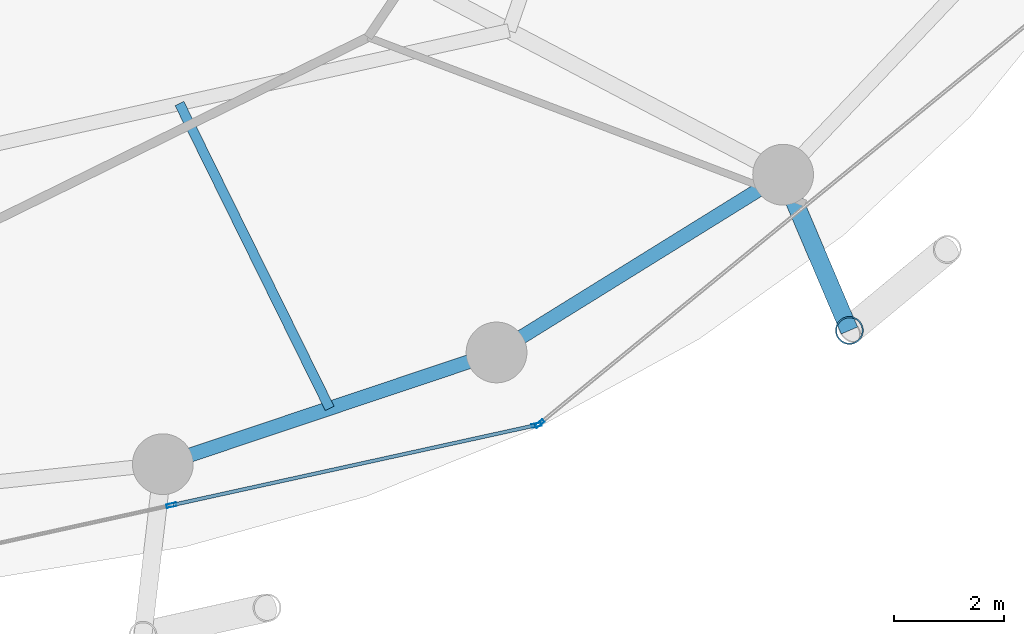
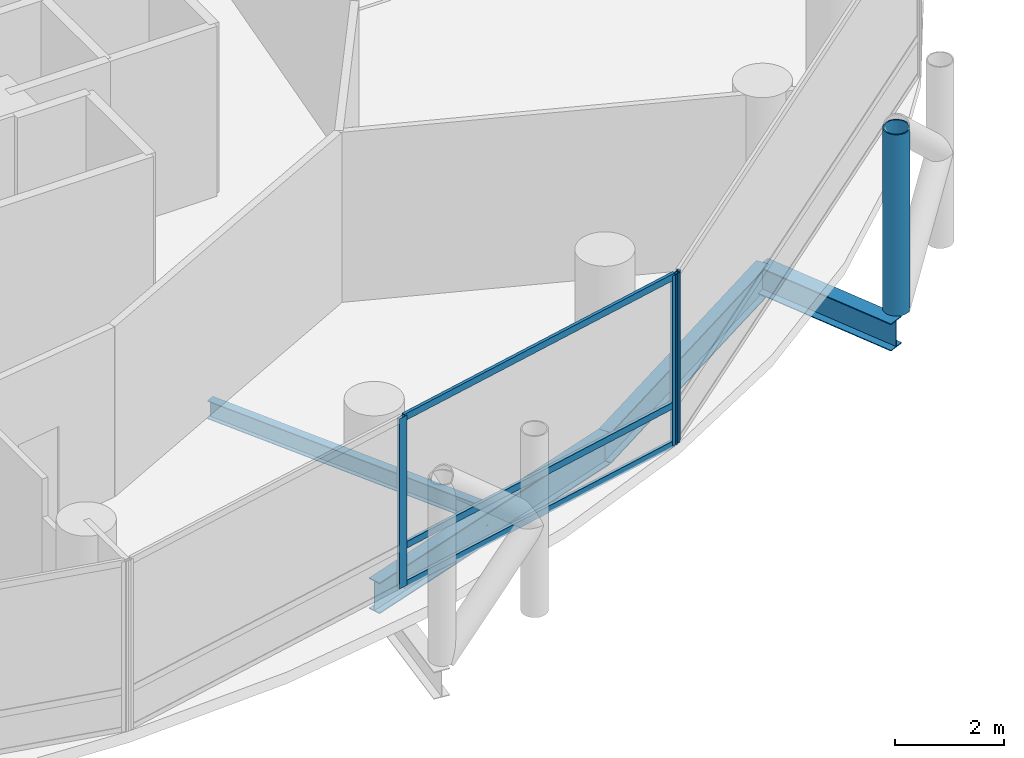
# One storey, part 8 of 26: 7 members, 4 beams, 2 elements without a shape of their own.
"""IFC4 building model written with IfcOpenShell, lengths in metres."""

from ifc_helpers import new_model, si_unit, direction, frame, origin, origin_2d, place, context, subcontext, project, spatial, hollow_rectangle, hollow_circle, i_section, extrude, material, layer, layer_set, material_profile, profile_set, type_object, element, aggregate, save


model = new_model("IFC4")

# Units and contexts
model_context = context("Model", 3, precision=1e-05, world=origin(), true_north=direction((0.0, 1.0)))
body_context = subcontext(model_context, "Body", "Model", "MODEL_VIEW")
ifc_project = project(units=[si_unit("LENGTHUNIT", "METRE"), si_unit("AREAUNIT", "SQUARE_METRE"), si_unit("VOLUMEUNIT", "CUBIC_METRE"), si_unit("PLANEANGLEUNIT", "RADIAN"), si_unit("MASSUNIT", "GRAM", prefix="KILO")], contexts=[model_context])

# Site, building, storey
site_placement = place(None, origin())
site = spatial("IfcSite", under=ifc_project, at=site_placement, CompositionType="ELEMENT")
building_placement = place(site_placement, origin())
building = spatial("IfcBuilding", under=site, at=building_placement, Name="Nuhasar Tower", CompositionType="ELEMENT")
storey_placement = place(building_placement, frame((0.0, 0.0, 53.39990234375)))
storey = spatial("IfcBuildingStorey", under=building, at=storey_placement, Name="L12", CompositionType="ELEMENT", Elevation=53.39990234375)

# Beams
ifc_material_1 = material(Name="Steel S355", Category="steel")
ifc_material_profile_1 = material_profile(ifc_material_1, i_section(OverallWidth=0.177978515625, OverallDepth=0.406005859375, WebThickness=0.0078125, FlangeThickness=0.0126953125, at=origin_2d()), Name="W16X40")
ifc_profile_set_1 = profile_set([ifc_material_profile_1], Name="Steel S355")
beam_type_1 = type_object("IfcBeamType", Name="BM-JST-W16X40", PredefinedType="JOIST", material=ifc_profile_set_1)
beam_1_placement = place(storey_placement, frame((45.783935546875, 13.77001953125, -0.462890625), z_axis=(0.442126747458, -0.89695258469, 0.0), x_axis=(0.89695258469, 0.442126747458, 0.0)))
element("IfcBeam", 1, at=beam_1_placement, inside=storey, type_object=beam_type_1, Name="L12 Secondary Floor Joist 02", PredefinedType="JOIST", context=body_context, shape_type="SweptSolid", body=[
    extrude(i_section(OverallWidth=0.177978515625, OverallDepth=0.406005859375, WebThickness=0.0078125, FlangeThickness=0.0126953125, at=origin_2d()), origin(), (0.0, 0.0, 1.0), 6.152099609375),
])
ifc_material_profile_2 = material_profile(ifc_material_1, i_section(OverallWidth=0.256103515625, OverallDepth=0.693115234375, WebThickness=0.014404296875, FlangeThickness=0.023681640625, at=origin_2d()), Name="W27X114")
ifc_profile_set_2 = profile_set([ifc_material_profile_2], Name="Steel S355")
beam_type_2 = type_object("IfcBeamType", Name="BM-RING-W27X114", PredefinedType="SPANDREL", material=ifc_profile_set_2)
beam_2_placement = place(storey_placement, frame((45.48291015625, 7.239990234375, -0.60595703125), z_axis=(0.94826097201, 0.317491935271, 0.0), x_axis=(-0.317491935271, 0.94826097201, 0.0)))
element("IfcBeam", 2, at=beam_2_placement, inside=storey, type_object=beam_type_2, Name="L12 Perimeter Ring Spandrel 20", PredefinedType="SPANDREL", context=body_context, shape_type="SweptSolid", body=[
    extrude(i_section(OverallWidth=0.256103515625, OverallDepth=0.693115234375, WebThickness=0.014404296875, FlangeThickness=0.023681640625, at=origin_2d()), origin(), (0.0, 0.0, 1.0), 6.37158203125),
])
beam_3_placement = place(storey_placement, frame((51.52490234375, 9.262939453125, -0.60595703125), z_axis=(0.849795216549, 0.527112976439, 0.0), x_axis=(-0.527112976439, 0.849795216549, 0.0)))
element("IfcBeam", 3, at=beam_3_placement, inside=storey, type_object=beam_type_2, Name="L12 Perimeter Ring Spandrel 21", PredefinedType="SPANDREL", context=body_context, shape_type="SweptSolid", body=[
    extrude(i_section(OverallWidth=0.256103515625, OverallDepth=0.693115234375, WebThickness=0.014404296875, FlangeThickness=0.023681640625, at=origin_2d()), origin(), (0.0, 0.0, 1.0), 6.10498046875),
])
ifc_material_profile_3 = material_profile(ifc_material_1, i_section(OverallWidth=0.323974609375, OverallDepth=0.611083984375, WebThickness=0.0126953125, FlangeThickness=0.01904296875, at=origin_2d()), Name="W24X104")
ifc_profile_set_3 = profile_set([ifc_material_profile_3], Name="Steel S355")
beam_type_3 = type_object("IfcBeamType", Name="BM-TIE-W24X104", PredefinedType="BEAM", material=ifc_profile_set_3)
beam_4_placement = place(storey_placement, frame((56.712890625, 12.48095703125, -0.56591796875), z_axis=(0.391601084021, -0.920135093882, 0.0), x_axis=(0.920135093882, 0.391601084021, 0.0)))
element("IfcBeam", 4, at=beam_4_placement, inside=storey, type_object=beam_type_3, Name="L12 Exoskeleton Node Tie Beam 11", PredefinedType="BEAM", context=body_context, shape_type="SweptSolid", body=[
    extrude(i_section(OverallWidth=0.323974609375, OverallDepth=0.611083984375, WebThickness=0.0126953125, FlangeThickness=0.01904296875, at=origin_2d()), origin(), (0.0, 0.0, 1.0), 3.06494140625),
])

# Curtain wall, members
ifc_material_2 = material(Name="Aluminium 6063-T6", Category="aluminium")
ifc_layer = layer(ifc_material_2, 0.199951171875)
ifc_layer_set = layer_set([ifc_layer], Name="Aluminium 6063-T6")
curtain_wall_type = type_object("IfcCurtainWallType", Name="CW-Z1-OFF", PredefinedType="NOTDEFINED", material=ifc_layer_set)
curtain_wall_1_placement = place(storey_placement, origin())
curtain_wall_1 = element("IfcCurtainWall", 5, at=curtain_wall_1_placement, inside=storey, type_object=curtain_wall_type, Name="L12 Unitised Curtain Wall 10", PredefinedType="NOTDEFINED")
ifc_material_profile_4 = material_profile(ifc_material_2, hollow_rectangle(XDim=0.06494140625, YDim=0.179931640625, WallThickness=0.0048828125, at=origin_2d()), Name="CWM-2")
ifc_profile_set_4 = profile_set([ifc_material_profile_4], Name="Aluminium 6063-T6")
member_type_1 = type_object("IfcMemberType", Name="CW-MUL-S2", PredefinedType="MULLION", material=ifc_profile_set_4)
member_1_placement = place(storey_placement, frame((45.639892578125, 6.49755859375, 0.0), z_axis=(0.0, 0.0, 1.0), x_axis=(-0.214398737637, 0.976746221544, 0.0)))
member_1 = element("IfcMember", 6, at=member_1_placement, type_object=member_type_1, Name="CW-Z1 mullion 2", PredefinedType="MULLION", context=body_context, shape_type="SweptSolid", body=[
    extrude(hollow_rectangle(XDim=0.06494140625, YDim=0.179931640625, WallThickness=0.0048828125, at=origin_2d()), origin(), (0.0, 0.0, 1.0), 3.800048828125),
])
member_2_placement = place(storey_placement, frame((52.248291015625, 7.947998046875, 0.0), z_axis=(0.0, 0.0, 1.0), x_axis=(-0.214398737637, 0.976746221544, 0.0)))
member_2 = element("IfcMember", 7, at=member_2_placement, type_object=member_type_1, Name="CW-Z1 mullion 3", PredefinedType="MULLION", context=body_context, shape_type="SweptSolid", body=[
    extrude(hollow_rectangle(XDim=0.06494140625, YDim=0.179931640625, WallThickness=0.0048828125, at=origin_2d()), origin(), (0.0, 0.0, 1.0), 3.800048828125),
])

# Curtain wall, member
curtain_wall_2_placement = place(storey_placement, origin())
curtain_wall_2 = element("IfcCurtainWall", 8, at=curtain_wall_2_placement, inside=storey, type_object=curtain_wall_type, Name="L12 Unitised Curtain Wall 11", PredefinedType="NOTDEFINED")
member_3_placement = place(storey_placement, frame((52.30517578125, 7.9755859375, 0.0), z_axis=(0.0, 0.0, 1.0), x_axis=(-0.633744593376, 0.773542364946, 0.0)))
member_3 = element("IfcMember", 9, at=member_3_placement, type_object=member_type_1, Name="CW-Z1 mullion 1", PredefinedType="MULLION", context=body_context, shape_type="SweptSolid", body=[
    extrude(hollow_rectangle(XDim=0.06494140625, YDim=0.179931640625, WallThickness=0.0048828125, at=origin_2d()), origin(), (0.0, 0.0, 1.0), 3.800048828125),
])
aggregate(curtain_wall_2, [member_3])

# Member
ifc_material_profile_5 = material_profile(ifc_material_2, hollow_rectangle(XDim=0.06494140625, YDim=0.14990234375, WallThickness=0.00439453125, at=origin_2d()), Name="CWT-2")
ifc_profile_set_5 = profile_set([ifc_material_profile_5], Name="Aluminium 6063-T6")
member_type_2 = type_object("IfcMemberType", Name="CW-TRN-S2", PredefinedType="USERDEFINED", material=ifc_profile_set_5)
member_4_placement = place(storey_placement, frame((45.671630859375, 6.50439453125, 0.03271484375), z_axis=(0.976741923778, 0.214418316228, 0.0), x_axis=(-0.214418316228, 0.976741923778, 0.0)))
member_4 = element("IfcMember", 10, at=member_4_placement, type_object=member_type_2, Name="CW-Z1 transom 2.1", ObjectType="TRANSOM", PredefinedType="USERDEFINED", context=body_context, shape_type="SweptSolid", body=[
    extrude(hollow_rectangle(XDim=0.06494140625, YDim=0.14990234375, WallThickness=0.00439453125, at=origin_2d()), origin(), (0.0, 0.0, 1.0), 6.70068359375),
])

member_5_placement = place(storey_placement, frame((45.671630859375, 6.50439453125, 0.900146484375), z_axis=(0.976741923778, 0.214418316228, 0.0), x_axis=(-0.214418316228, 0.976741923778, 0.0)))
member_5 = element("IfcMember", 11, at=member_5_placement, type_object=member_type_2, Name="CW-Z1 transom 2.2", ObjectType="TRANSOM", PredefinedType="USERDEFINED", context=body_context, shape_type="SweptSolid", body=[
    extrude(hollow_rectangle(XDim=0.06494140625, YDim=0.14990234375, WallThickness=0.00439453125, at=origin_2d()), origin(), (0.0, 0.0, 1.0), 6.70068359375),
])

member_6_placement = place(storey_placement, frame((45.671630859375, 6.50439453125, 3.767578125), z_axis=(0.976741923778, 0.214418316228, 0.0), x_axis=(-0.214418316228, 0.976741923778, 0.0)))
member_6 = element("IfcMember", 12, at=member_6_placement, type_object=member_type_2, Name="CW-Z1 transom 2.3", ObjectType="TRANSOM", PredefinedType="USERDEFINED", context=body_context, shape_type="SweptSolid", body=[
    extrude(hollow_rectangle(XDim=0.06494140625, YDim=0.14990234375, WallThickness=0.00439453125, at=origin_2d()), origin(), (0.0, 0.0, 1.0), 6.70068359375),
])

aggregate(curtain_wall_1, [member_1, member_2, member_4, member_5, member_6])

ifc_material_3 = material(Name="Steel S460", Category="steel")
ifc_material_profile_6 = material_profile(ifc_material_3, hollow_circle(Radius=0.25390625, WallThickness=0.025390625, at=origin_2d()), Name="HSS508X25.4")
ifc_profile_set_6 = profile_set([ifc_material_profile_6], Name="Steel S460")
member_type_3 = type_object("IfcMemberType", Name="EXO-BRONZE-508", PredefinedType="BRACE", material=ifc_profile_set_6)
member_7_placement = place(storey_placement, frame((57.9130859375, 9.660888671875, 0.0), z_axis=(0.0, 0.0, 1.0), x_axis=(1.0, 0.0, 0.0)))
element("IfcMember", 13, at=member_7_placement, inside=storey, type_object=member_type_3, Name="L12 Exoskeleton Chord Column EC-11A", PredefinedType="BRACE", context=body_context, shape_type="SweptSolid", body=[
    extrude(hollow_circle(Radius=0.25390625, WallThickness=0.025390625, at=origin_2d()), origin(), (0.0, 0.0, 1.0), 4.050048828125),
])

save(model, "model.ifc")
